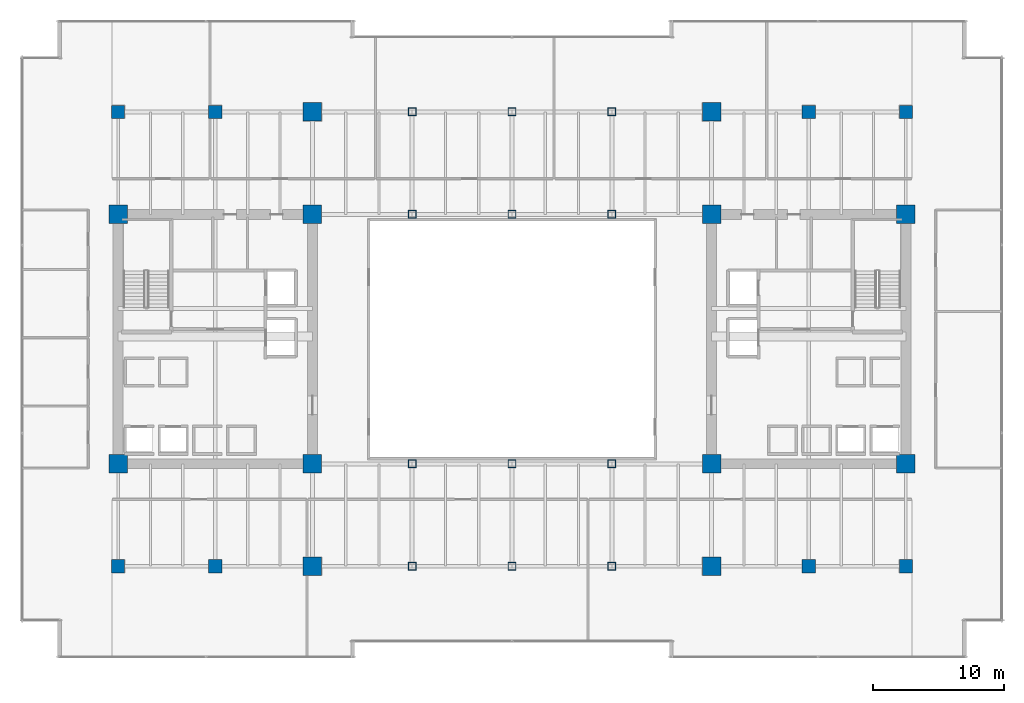
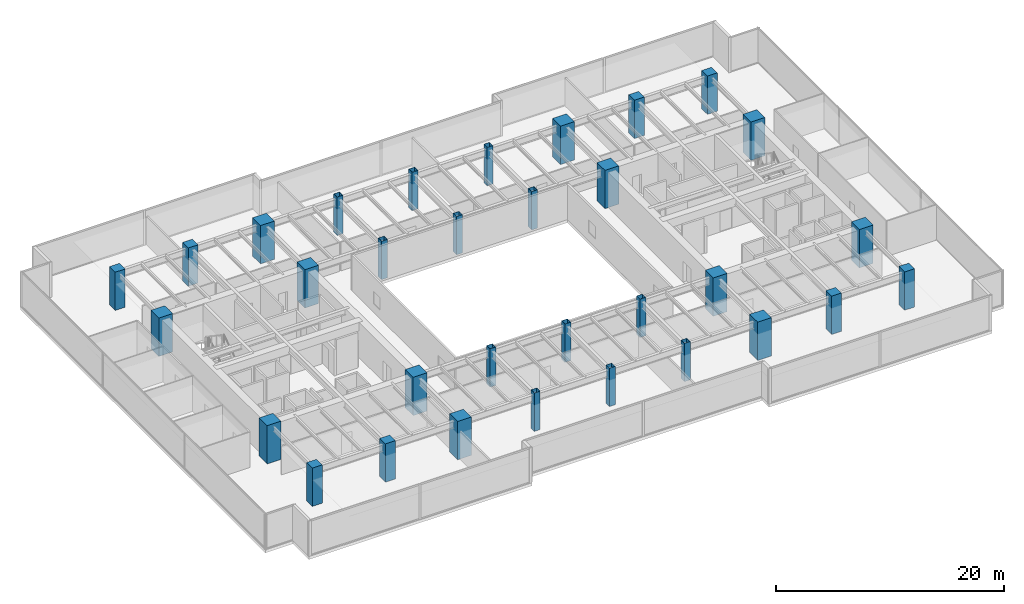
# One storey, part 1 of 36: 32 columns.
"""IFC4 building model written with IfcOpenShell, lengths in metres."""

import ifcopenshell
import ifcopenshell.guid

model = None  # the IFC model being written
_history = None  # IfcOwnerHistory: only IFC2X3 demands one
_inside = {}  # id of a spatial element -> (the spatial element, [elements in it])
_under = {}  # id of a project, library or spatial element -> (it, [spatial elements below it])
_declared = {}  # id of a project -> (the project, [libraries it declares])
_typed = {}  # id of a type object -> (the type object, [elements of that type])
_made_of = {}  # id of a material, layer set ... -> (it, [elements and type objects made of it])


def new_model(schema):
    """Start an empty IFC model of exactly this schema.

    Asked for "IFC4X3", IfcOpenShell would pick the latest addendum, in which some entities
    have other attributes; the version numbers below select the first issue.
    IFC2X3 requires an IfcOwnerHistory on every rooted entity: one is made here for all.
    """
    global model, _history
    if schema == "IFC4X3":
        model = ifcopenshell.file(schema_version=(4, 3, 0, 0))
    else:
        model = ifcopenshell.file(schema=schema)
    _inside.clear()
    _under.clear()
    _declared.clear()
    _typed.clear()
    _made_of.clear()
    _history = None
    if model.schema == "IFC2X3":
        org = make("IfcOrganization", Name="unknown")
        user = make(
            "IfcPersonAndOrganization",
            ThePerson=make("IfcPerson", FamilyName="unknown"),
            TheOrganization=org,
        )
        app = make(
            "IfcApplication",
            ApplicationDeveloper=org,
            Version="unknown",
            ApplicationFullName="unknown",
            ApplicationIdentifier="unknown",
        )
        _history = make(
            "IfcOwnerHistory",
            OwningUser=user,
            OwningApplication=app,
            ChangeAction="ADDED",
            CreationDate=0,
        )
    return model


def make(cls, **values):
    """One entity of the class cls with the attributes given. An attribute that is None is left unset."""
    return model.create_entity(
        cls, **{name: value for name, value in values.items() if value is not None}
    )


def rooted(cls, **values):
    """An entity with a GlobalId (a new one), such as an element, a storey or a relation."""
    return make(cls, GlobalId=ifcopenshell.guid.new(), OwnerHistory=_history, **values)


def si_unit(unit_type, name, prefix=None):
    """IfcSIUnit, for example si_unit("LENGTHUNIT", "METRE", prefix="MILLI")."""
    return make("IfcSIUnit", UnitType=unit_type, Prefix=prefix, Name=name)


def assignment(units):
    """IfcUnitAssignment: the units of a project."""
    return None if units is None else make("IfcUnitAssignment", Units=units)


def point(xyz):
    """IfcCartesianPoint."""
    return None if xyz is None else make("IfcCartesianPoint", Coordinates=xyz)


def direction(xyz):
    """IfcDirection."""
    return None if xyz is None else make("IfcDirection", DirectionRatios=xyz)


def frame(location, z_axis=None, x_axis=None):
    """IfcAxis2Placement3D, a coordinate frame: its origin and axes. An axis left out is left unset."""
    return make(
        "IfcAxis2Placement3D",
        Location=point(location),
        Axis=direction(z_axis),
        RefDirection=direction(x_axis),
    )


def frame_2d(location, x_axis=None):
    """IfcAxis2Placement2D, a coordinate frame in the plane: its origin and x axis."""
    return make(
        "IfcAxis2Placement2D", Location=point(location), RefDirection=direction(x_axis)
    )


def origin():
    """The frame at (0, 0, 0) with its axes left unset."""
    return frame((0.0, 0.0, 0.0))


def origin_2d():
    """The frame at (0, 0) in the plane with its x axis left unset."""
    return frame_2d((0.0, 0.0))


def place(relative_to, where):
    """IfcLocalPlacement: puts the frame where relative to a parent placement (None: the world)."""
    return make(
        "IfcLocalPlacement", PlacementRelTo=relative_to, RelativePlacement=where
    )


def context(
    kind, dimensions, precision=None, world=None, true_north=None, identifier=None
):
    """IfcGeometricRepresentationContext, for example the 3D "Model" context."""
    return make(
        "IfcGeometricRepresentationContext",
        ContextIdentifier=identifier,
        ContextType=kind,
        CoordinateSpaceDimension=dimensions,
        Precision=precision,
        WorldCoordinateSystem=world,
        TrueNorth=true_north,
    )


def subcontext(parent, identifier, kind, view, scale=None):
    """IfcGeometricRepresentationSubContext, for example "Body" below "Model"."""
    return make(
        "IfcGeometricRepresentationSubContext",
        ContextIdentifier=identifier,
        ContextType=kind,
        ParentContext=parent,
        TargetScale=scale,
        TargetView=view,
    )


def project(units=None, contexts=None):
    """IfcProject with its units and contexts."""
    return rooted(
        "IfcProject",
        Name="project",
        RepresentationContexts=contexts,
        UnitsInContext=assignment(units),
    )


def spatial(cls, under=None, at=None, **own):
    """A site, building, storey or space (cls), placed at a placement, below another one or the project."""
    s = rooted(cls, ObjectPlacement=at, **own)
    if under is not None:
        _under.setdefault(under.id(), (under, []))[1].append(s)
    return s


def profile(cls, at=None, kind="AREA", **sizes):
    """A parametric profile (cls). Its sizes go by their IFC names, for example OverallWidth=200.0."""
    return make(cls, ProfileType=kind, Position=at, **sizes)


def rectangle(**sizes):
    """IfcRectangleProfileDef."""
    return profile("IfcRectangleProfileDef", **sizes)


def hollow_rectangle(**sizes):
    """IfcRectangleHollowProfileDef."""
    return profile("IfcRectangleHollowProfileDef", **sizes)


def extrude(swept, where, along, depth):
    """IfcExtrudedAreaSolid: the profile swept, set in the frame where, extruded along a direction by depth."""
    return make(
        "IfcExtrudedAreaSolid",
        SweptArea=swept,
        Position=where,
        ExtrudedDirection=direction(along),
        Depth=depth,
    )


def shape(context_of_items, identifier, shape_type, items):
    """IfcShapeRepresentation: the items that make up one representation, for example the "Body"."""
    return make(
        "IfcShapeRepresentation",
        ContextOfItems=context_of_items,
        RepresentationIdentifier=identifier,
        RepresentationType=shape_type,
        Items=items,
    )


def source(mapping_origin, context_of_items, identifier, shape_type, items):
    """IfcRepresentationMap: a shape defined once, which mapped items show again and again."""
    return make(
        "IfcRepresentationMap",
        MappingOrigin=mapping_origin,
        MappedRepresentation=shape(context_of_items, identifier, shape_type, items),
    )


def transform(
    local_origin,
    x_axis=None,
    y_axis=None,
    z_axis=None,
    scale=None,
    scale2=None,
    scale3=None,
    uniform=True,
):
    """IfcCartesianTransformationOperator3D, or its non-uniform kind. x_axis, y_axis, z_axis: its Axis1, 2, 3."""
    if uniform:
        return make(
            "IfcCartesianTransformationOperator3D",
            Axis1=direction(x_axis),
            Axis2=direction(y_axis),
            LocalOrigin=point(local_origin),
            Scale=scale,
            Axis3=direction(z_axis),
        )
    return make(
        "IfcCartesianTransformationOperator3DnonUniform",
        Axis1=direction(x_axis),
        Axis2=direction(y_axis),
        LocalOrigin=point(local_origin),
        Scale=scale,
        Axis3=direction(z_axis),
        Scale2=scale2,
        Scale3=scale3,
    )


def mapped(mapping_source, mapping_target):
    """IfcMappedItem: shows the shape of a source again, moved by a transform."""
    return make(
        "IfcMappedItem", MappingSource=mapping_source, MappingTarget=mapping_target
    )


def material(Name=None, Category=None):
    """IfcMaterial."""
    return make("IfcMaterial", Name=Name, Category=Category)


def material_profile(
    of_material, cross_section, Name=None, Category=None, Priority=None
):
    """IfcMaterialProfile: a cross section and its material."""
    return make(
        "IfcMaterialProfile",
        Name=Name,
        Material=of_material,
        Profile=cross_section,
        Priority=Priority,
        Category=Category,
    )


def profile_set(profiles, Name=None, composite=None):
    """IfcMaterialProfileSet."""
    return make(
        "IfcMaterialProfileSet",
        Name=Name,
        MaterialProfiles=profiles,
        CompositeProfile=composite,
    )


def made_of(thing, what):
    """Note that an element or type object is made of a material, layer set ...; save() writes the relation."""
    if what is not None:
        _made_of.setdefault(what.id(), (what, []))[1].append(thing)
    return thing


def type_object(cls, material=None, **own):
    """A type object (cls), such as IfcWallType, which elements share."""
    return made_of(rooted(cls, **own), material)


def type_shapes(of_type, sources):
    """Give a type object the sources (RepresentationMaps) that its elements show as mapped items."""
    of_type.RepresentationMaps = sources


def element(
    cls,
    number,
    at=None,
    inside=None,
    cuts=None,
    type_object=None,
    material=None,
    context=None,
    identifier="Body",
    shape_type=None,
    held_by="IfcProductDefinitionShape",
    body=None,
    shapes=None,
    **own,
):
    """One element of the class cls, such as IfcWall. Its Tag is "e" and its number.

    at: its placement. inside: the storey or other place that contains it. cuts: it is an
    opening in that element (IfcRelVoidsElement). A single representation is given by context,
    identifier, shape_type and body (its items); several are given by shapes. held_by: the class
    of the entity that holds the representations. save() writes the other relations.
    """
    e = rooted(cls, Tag="e%d" % number, ObjectPlacement=at, **own)
    if body is not None:
        shapes = [shape(context, identifier, shape_type, body)]
    if shapes is not None:
        e.Representation = make(held_by, Representations=shapes)
    if inside is not None:
        _inside.setdefault(inside.id(), (inside, []))[1].append(e)
    if cuts is not None:
        rooted(
            "IfcRelVoidsElement", RelatingBuildingElement=cuts, RelatedOpeningElement=e
        )
    if type_object is not None:
        _typed.setdefault(type_object.id(), (type_object, []))[1].append(e)
    return made_of(e, material)


def aggregate(whole, parts):
    """IfcRelAggregates: a whole, such as a stair, and the parts it consists of."""
    return rooted("IfcRelAggregates", RelatingObject=whole, RelatedObjects=parts)


def save(model, path):
    """Write the relations noted so far, then the file.

    IfcRelAggregates (storeys below a building ...), IfcRelContainedInSpatialStructure (elements
    in a storey), IfcRelDefinesByType, IfcRelAssociatesMaterial and IfcRelDeclares: one each for
    every whole, place, type object, material and project.
    """
    for whole, parts in _under.values():
        aggregate(whole, parts)
    for where, things in _inside.values():
        rooted(
            "IfcRelContainedInSpatialStructure",
            RelatedElements=things,
            RelatingStructure=where,
        )
    for kind, things in _typed.values():
        rooted("IfcRelDefinesByType", RelatedObjects=things, RelatingType=kind)
    for what, things in _made_of.values():
        rooted("IfcRelAssociatesMaterial", RelatedObjects=things, RelatingMaterial=what)
    for by, libraries in _declared.values():
        rooted("IfcRelDeclares", RelatingContext=by, RelatedDefinitions=libraries)
    model.write(path)


model = new_model("IFC4")

# Units and contexts
model_context = context("Model", 3, precision=1e-05, world=origin(), true_north=direction((0.0, 1.0)))
body_context = subcontext(model_context, "Body", "Model", "MODEL_VIEW")
ifc_project = project(units=[si_unit("LENGTHUNIT", "METRE"), si_unit("AREAUNIT", "SQUARE_METRE"), si_unit("VOLUMEUNIT", "CUBIC_METRE"), si_unit("PLANEANGLEUNIT", "RADIAN"), si_unit("MASSUNIT", "GRAM", prefix="KILO")], contexts=[model_context])

# Site, building, storey
site_placement = place(None, origin())
site = spatial("IfcSite", under=ifc_project, at=site_placement, CompositionType="ELEMENT")
building_placement = place(site_placement, origin())
building = spatial("IfcBuilding", under=site, at=building_placement, Name="Haelvirn Gate Laboratories", CompositionType="ELEMENT")
storey_placement = place(building_placement, frame((0.0, 0.0, 53.89990234375)))
storey = spatial("IfcBuildingStorey", under=building, at=storey_placement, Name="L13", CompositionType="ELEMENT", Elevation=53.89990234375)

# Columns
ifc_material_1 = material(Name="Concrete C60/75", Category="concrete")
ifc_material_profile_1 = material_profile(ifc_material_1, rectangle(XDim=1.0, YDim=1.0, at=origin_2d()), Name="RC-1000x1000")
ifc_profile_set_1 = profile_set([ifc_material_profile_1], Name="Concrete C60/75")
column_type_1 = type_object("IfcColumnType", Name="COL-RC-1000", PredefinedType="COLUMN", material=ifc_profile_set_1)
shared_shape_1 = source(origin(), body_context, "Body", "SweptSolid", [
    extrude(rectangle(XDim=1.0, YDim=1.0, at=origin_2d()), origin(), (0.0, 0.0, 1.0), 4.10009765625),
])
type_shapes(column_type_1, [shared_shape_1])
for number, where, z_axis, x_axis, name in (
    (1, (14.800048828125, 7.0, 0.0), (0.0, 0.0, 1.0), (1.0, 0.0, 0.0), "L13 Column 3B"),
    (2, (14.800048828125, 41.60009765625, 0.0), (0.0, 0.0, 1.0), (1.0, 0.0, 0.0), "L13 Column 3G"),
    (3, (60.0, 7.0, 0.0), (0.0, 0.0, 1.0), (1.0, 0.0, 0.0), "L13 Column 9B"),
    (4, (60.0, 41.60009765625, 0.0), (0.0, 0.0, 1.0), (1.0, 0.0, 0.0), "L13 Column 9G"),
    (5, (7.39990234375, 7.0, 0.0), (0.0, 0.0, 1.0), (1.0, 0.0, 0.0), "L13 Column 2B"),
    (6, (7.39990234375, 41.60009765625, 0.0), (0.0, 0.0, 1.0), (1.0, 0.0, 0.0), "L13 Column 2G"),
    (7, (67.39990234375, 7.0, 0.0), (0.0, 0.0, 1.0), (1.0, 0.0, 0.0), "L13 Column 10B"),
    (8, (67.39990234375, 41.60009765625, 0.0), (0.0, 0.0, 1.0), (1.0, 0.0, 0.0), "L13 Column 10G"),
):
    element("IfcColumn", number, at=place(storey_placement, frame(where, z_axis=z_axis, x_axis=x_axis)), inside=storey, type_object=column_type_1, Name=name, PredefinedType="COLUMN", context=body_context, shape_type="MappedRepresentation", body=[
        mapped(shared_shape_1, transform((0.0, 0.0, 0.0), scale=1.0)),
    ])
ifc_material_2 = material(Name="Concrete C70/85", Category="concrete")
ifc_material_profile_2 = material_profile(ifc_material_2, rectangle(XDim=1.39990234375, YDim=1.39990234375, at=origin_2d()), Name="SRC-1400x1400")
ifc_profile_set_2 = profile_set([ifc_material_profile_2], Name="Concrete C70/85")
column_type_2 = type_object("IfcColumnType", Name="COL-SRC-1400", PredefinedType="COLUMN", material=ifc_profile_set_2)
shared_shape_2 = source(origin(), body_context, "Body", "SweptSolid", [
    extrude(rectangle(XDim=1.39990234375, YDim=1.39990234375, at=origin_2d()), origin(), (0.0, 0.0, 1.0), 4.10009765625),
])
type_shapes(column_type_2, [shared_shape_2])
for number, where, z_axis, x_axis, name in (
    (9, (22.199951171875, 7.0, 0.0), (0.0, 0.0, 1.0), (1.0, 0.0, 0.0), "L13 Column 4B"),
    (10, (7.39990234375, 14.800048828125, 0.0), (0.0, 0.0, 1.0), (1.0, 0.0, 0.0), "L13 Column 2C"),
    (11, (22.199951171875, 14.800048828125, 0.0), (0.0, 0.0, 1.0), (1.0, 0.0, 0.0), "L13 Column 4C"),
    (12, (7.39990234375, 33.800048828125, 0.0), (0.0, 0.0, 1.0), (1.0, 0.0, 0.0), "L13 Column 2F"),
    (13, (22.199951171875, 33.800048828125, 0.0), (0.0, 0.0, 1.0), (1.0, 0.0, 0.0), "L13 Column 4F"),
    (14, (22.199951171875, 41.60009765625, 0.0), (0.0, 0.0, 1.0), (1.0, 0.0, 0.0), "L13 Column 4G"),
    (15, (52.60009765625, 7.0, 0.0), (0.0, 0.0, 1.0), (1.0, 0.0, 0.0), "L13 Column 8B"),
    (16, (52.60009765625, 14.800048828125, 0.0), (0.0, 0.0, 1.0), (1.0, 0.0, 0.0), "L13 Column 8C"),
    (17, (67.39990234375, 14.800048828125, 0.0), (0.0, 0.0, 1.0), (1.0, 0.0, 0.0), "L13 Column 10C"),
    (18, (52.60009765625, 33.800048828125, 0.0), (0.0, 0.0, 1.0), (1.0, 0.0, 0.0), "L13 Column 8F"),
    (19, (67.39990234375, 33.800048828125, 0.0), (0.0, 0.0, 1.0), (1.0, 0.0, 0.0), "L13 Column 10F"),
    (20, (52.60009765625, 41.60009765625, 0.0), (0.0, 0.0, 1.0), (1.0, 0.0, 0.0), "L13 Column 8G"),
):
    element("IfcColumn", number, at=place(storey_placement, frame(where, z_axis=z_axis, x_axis=x_axis)), inside=storey, type_object=column_type_2, Name=name, PredefinedType="COLUMN", context=body_context, shape_type="MappedRepresentation", body=[
        mapped(shared_shape_2, transform((0.0, 0.0, 0.0), scale=1.0)),
    ])
ifc_material_3 = material(Name="Steel SM420", Category="steel")
ifc_material_profile_3 = material_profile(ifc_material_3, hollow_rectangle(XDim=0.60009765625, YDim=0.60009765625, WallThickness=0.028076171875, at=origin_2d()), Name="BOX-600x600x28")
ifc_profile_set_3 = profile_set([ifc_material_profile_3], Name="Steel SM420")
column_type_3 = type_object("IfcColumnType", Name="COL-BOX-600", PredefinedType="COLUMN", material=ifc_profile_set_3)
shared_shape_3 = source(origin(), body_context, "Body", "SweptSolid", [
    extrude(hollow_rectangle(XDim=0.60009765625, YDim=0.60009765625, WallThickness=0.028076171875, at=origin_2d()), origin(), (0.0, 0.0, 1.0), 4.10009765625),
])
type_shapes(column_type_3, [shared_shape_3])
for number, where, z_axis, x_axis, name in (
    (21, (29.800048828125, 7.0, 0.0), (0.0, 0.0, 1.0), (1.0, 0.0, 0.0), "L13 Column 5B"),
    (22, (29.800048828125, 14.800048828125, 0.0), (0.0, 0.0, 1.0), (1.0, 0.0, 0.0), "L13 Column 5C"),
    (23, (29.800048828125, 33.800048828125, 0.0), (0.0, 0.0, 1.0), (1.0, 0.0, 0.0), "L13 Column 5F"),
    (24, (29.800048828125, 41.60009765625, 0.0), (0.0, 0.0, 1.0), (1.0, 0.0, 0.0), "L13 Column 5G"),
    (25, (37.39990234375, 7.0, 0.0), (0.0, 0.0, 1.0), (1.0, 0.0, 0.0), "L13 Column 6B"),
    (26, (37.39990234375, 14.800048828125, 0.0), (0.0, 0.0, 1.0), (1.0, 0.0, 0.0), "L13 Column 6C"),
    (27, (37.39990234375, 33.800048828125, 0.0), (0.0, 0.0, 1.0), (1.0, 0.0, 0.0), "L13 Column 6F"),
    (28, (37.39990234375, 41.60009765625, 0.0), (0.0, 0.0, 1.0), (1.0, 0.0, 0.0), "L13 Column 6G"),
    (29, (45.0, 7.0, 0.0), (0.0, 0.0, 1.0), (1.0, 0.0, 0.0), "L13 Column 7B"),
    (30, (45.0, 14.800048828125, 0.0), (0.0, 0.0, 1.0), (1.0, 0.0, 0.0), "L13 Column 7C"),
    (31, (45.0, 33.800048828125, 0.0), (0.0, 0.0, 1.0), (1.0, 0.0, 0.0), "L13 Column 7F"),
    (32, (45.0, 41.60009765625, 0.0), (0.0, 0.0, 1.0), (1.0, 0.0, 0.0), "L13 Column 7G"),
):
    element("IfcColumn", number, at=place(storey_placement, frame(where, z_axis=z_axis, x_axis=x_axis)), inside=storey, type_object=column_type_3, Name=name, PredefinedType="COLUMN", context=body_context, shape_type="MappedRepresentation", body=[
        mapped(shared_shape_3, transform((0.0, 0.0, 0.0), scale=1.0)),
    ])

save(model, "model.ifc")
